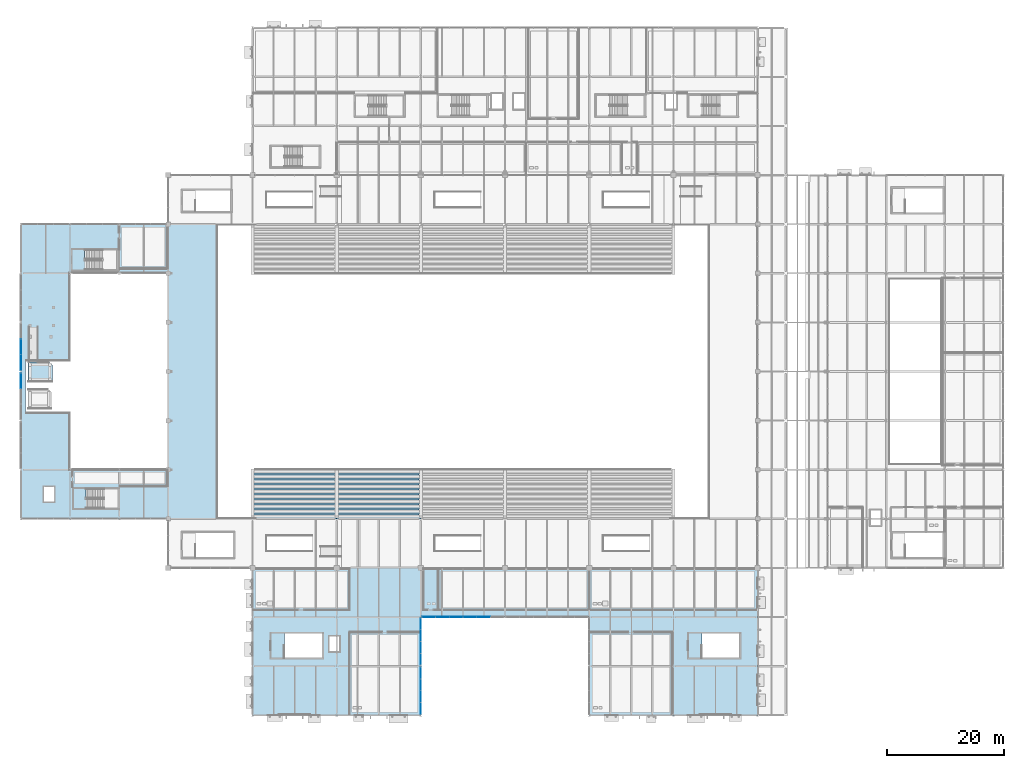
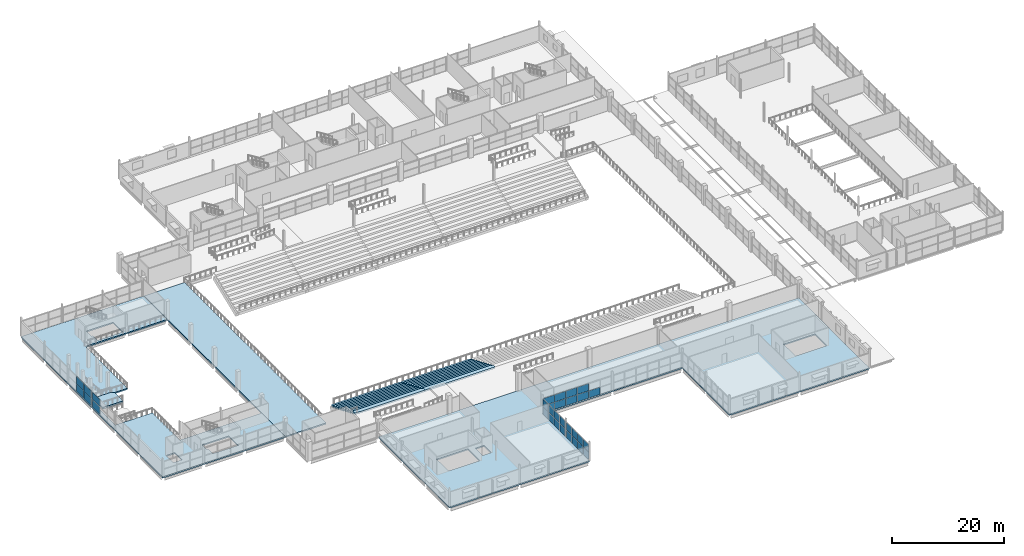
# One storey, part 123 of 161: 31 plates, 24 slabs, 5 elements without a shape of their own.
"""IFC4 building model written with IfcOpenShell, lengths in metres."""

import ifcopenshell
import ifcopenshell.guid

model = None  # the IFC model being written
_history = None  # IfcOwnerHistory: only IFC2X3 demands one
_inside = {}  # id of a spatial element -> (the spatial element, [elements in it])
_under = {}  # id of a project, library or spatial element -> (it, [spatial elements below it])
_declared = {}  # id of a project -> (the project, [libraries it declares])
_typed = {}  # id of a type object -> (the type object, [elements of that type])
_made_of = {}  # id of a material, layer set ... -> (it, [elements and type objects made of it])


def new_model(schema):
    """Start an empty IFC model of exactly this schema.

    Asked for "IFC4X3", IfcOpenShell would pick the latest addendum, in which some entities
    have other attributes; the version numbers below select the first issue.
    IFC2X3 requires an IfcOwnerHistory on every rooted entity: one is made here for all.
    """
    global model, _history
    if schema == "IFC4X3":
        model = ifcopenshell.file(schema_version=(4, 3, 0, 0))
    else:
        model = ifcopenshell.file(schema=schema)
    _inside.clear()
    _under.clear()
    _declared.clear()
    _typed.clear()
    _made_of.clear()
    _history = None
    if model.schema == "IFC2X3":
        org = make("IfcOrganization", Name="unknown")
        user = make(
            "IfcPersonAndOrganization",
            ThePerson=make("IfcPerson", FamilyName="unknown"),
            TheOrganization=org,
        )
        app = make(
            "IfcApplication",
            ApplicationDeveloper=org,
            Version="unknown",
            ApplicationFullName="unknown",
            ApplicationIdentifier="unknown",
        )
        _history = make(
            "IfcOwnerHistory",
            OwningUser=user,
            OwningApplication=app,
            ChangeAction="ADDED",
            CreationDate=0,
        )
    return model


def make(cls, **values):
    """One entity of the class cls with the attributes given. An attribute that is None is left unset."""
    return model.create_entity(
        cls, **{name: value for name, value in values.items() if value is not None}
    )


def rooted(cls, **values):
    """An entity with a GlobalId (a new one), such as an element, a storey or a relation."""
    return make(cls, GlobalId=ifcopenshell.guid.new(), OwnerHistory=_history, **values)


def si_unit(unit_type, name, prefix=None):
    """IfcSIUnit, for example si_unit("LENGTHUNIT", "METRE", prefix="MILLI")."""
    return make("IfcSIUnit", UnitType=unit_type, Prefix=prefix, Name=name)


def assignment(units):
    """IfcUnitAssignment: the units of a project."""
    return None if units is None else make("IfcUnitAssignment", Units=units)


def point(xyz):
    """IfcCartesianPoint."""
    return None if xyz is None else make("IfcCartesianPoint", Coordinates=xyz)


def direction(xyz):
    """IfcDirection."""
    return None if xyz is None else make("IfcDirection", DirectionRatios=xyz)


def frame(location, z_axis=None, x_axis=None):
    """IfcAxis2Placement3D, a coordinate frame: its origin and axes. An axis left out is left unset."""
    return make(
        "IfcAxis2Placement3D",
        Location=point(location),
        Axis=direction(z_axis),
        RefDirection=direction(x_axis),
    )


def frame_2d(location, x_axis=None):
    """IfcAxis2Placement2D, a coordinate frame in the plane: its origin and x axis."""
    return make(
        "IfcAxis2Placement2D", Location=point(location), RefDirection=direction(x_axis)
    )


def origin():
    """The frame at (0, 0, 0) with its axes left unset."""
    return frame((0.0, 0.0, 0.0))


def origin_2d():
    """The frame at (0, 0) in the plane with its x axis left unset."""
    return frame_2d((0.0, 0.0))


def place(relative_to, where):
    """IfcLocalPlacement: puts the frame where relative to a parent placement (None: the world)."""
    return make(
        "IfcLocalPlacement", PlacementRelTo=relative_to, RelativePlacement=where
    )


def context(
    kind, dimensions, precision=None, world=None, true_north=None, identifier=None
):
    """IfcGeometricRepresentationContext, for example the 3D "Model" context."""
    return make(
        "IfcGeometricRepresentationContext",
        ContextIdentifier=identifier,
        ContextType=kind,
        CoordinateSpaceDimension=dimensions,
        Precision=precision,
        WorldCoordinateSystem=world,
        TrueNorth=true_north,
    )


def subcontext(parent, identifier, kind, view, scale=None):
    """IfcGeometricRepresentationSubContext, for example "Body" below "Model"."""
    return make(
        "IfcGeometricRepresentationSubContext",
        ContextIdentifier=identifier,
        ContextType=kind,
        ParentContext=parent,
        TargetScale=scale,
        TargetView=view,
    )


def project(units=None, contexts=None):
    """IfcProject with its units and contexts."""
    return rooted(
        "IfcProject",
        Name="project",
        RepresentationContexts=contexts,
        UnitsInContext=assignment(units),
    )


def spatial(cls, under=None, at=None, **own):
    """A site, building, storey or space (cls), placed at a placement, below another one or the project."""
    s = rooted(cls, ObjectPlacement=at, **own)
    if under is not None:
        _under.setdefault(under.id(), (under, []))[1].append(s)
    return s


def polyline(points):
    """IfcPolyline through the points."""
    return make("IfcPolyline", Points=[point(p) for p in points])


def profile(cls, at=None, kind="AREA", **sizes):
    """A parametric profile (cls). Its sizes go by their IFC names, for example OverallWidth=200.0."""
    return make(cls, ProfileType=kind, Position=at, **sizes)


def rectangle(**sizes):
    """IfcRectangleProfileDef."""
    return profile("IfcRectangleProfileDef", **sizes)


def outline(outer, holes=None, kind="AREA"):
    """IfcArbitraryClosedProfileDef: a profile drawn as a closed curve; with holes, ...WithVoids."""
    if holes is None:
        return make("IfcArbitraryClosedProfileDef", ProfileType=kind, OuterCurve=outer)
    return make(
        "IfcArbitraryProfileDefWithVoids",
        ProfileType=kind,
        OuterCurve=outer,
        InnerCurves=holes,
    )


def extrude(swept, where, along, depth):
    """IfcExtrudedAreaSolid: the profile swept, set in the frame where, extruded along a direction by depth."""
    return make(
        "IfcExtrudedAreaSolid",
        SweptArea=swept,
        Position=where,
        ExtrudedDirection=direction(along),
        Depth=depth,
    )


def shape(context_of_items, identifier, shape_type, items):
    """IfcShapeRepresentation: the items that make up one representation, for example the "Body"."""
    return make(
        "IfcShapeRepresentation",
        ContextOfItems=context_of_items,
        RepresentationIdentifier=identifier,
        RepresentationType=shape_type,
        Items=items,
    )


def material(Name=None, Category=None):
    """IfcMaterial."""
    return make("IfcMaterial", Name=Name, Category=Category)


def layer(
    of_material, thickness, ventilated=None, Name=None, Category=None, Priority=None
):
    """IfcMaterialLayer: one layer of a wall or slab, of a material (None: an air gap)."""
    return make(
        "IfcMaterialLayer",
        Material=of_material,
        LayerThickness=thickness,
        IsVentilated=ventilated,
        Name=Name,
        Category=Category,
        Priority=Priority,
    )


def layer_set(layers, Name=None):
    """IfcMaterialLayerSet."""
    return make("IfcMaterialLayerSet", MaterialLayers=layers, LayerSetName=Name)


def made_of(thing, what):
    """Note that an element or type object is made of a material, layer set ...; save() writes the relation."""
    if what is not None:
        _made_of.setdefault(what.id(), (what, []))[1].append(thing)
    return thing


def type_object(cls, material=None, **own):
    """A type object (cls), such as IfcWallType, which elements share."""
    return made_of(rooted(cls, **own), material)


def element(
    cls,
    number,
    at=None,
    inside=None,
    cuts=None,
    type_object=None,
    material=None,
    context=None,
    identifier="Body",
    shape_type=None,
    held_by="IfcProductDefinitionShape",
    body=None,
    shapes=None,
    **own,
):
    """One element of the class cls, such as IfcWall. Its Tag is "e" and its number.

    at: its placement. inside: the storey or other place that contains it. cuts: it is an
    opening in that element (IfcRelVoidsElement). A single representation is given by context,
    identifier, shape_type and body (its items); several are given by shapes. held_by: the class
    of the entity that holds the representations. save() writes the other relations.
    """
    e = rooted(cls, Tag="e%d" % number, ObjectPlacement=at, **own)
    if body is not None:
        shapes = [shape(context, identifier, shape_type, body)]
    if shapes is not None:
        e.Representation = make(held_by, Representations=shapes)
    if inside is not None:
        _inside.setdefault(inside.id(), (inside, []))[1].append(e)
    if cuts is not None:
        rooted(
            "IfcRelVoidsElement", RelatingBuildingElement=cuts, RelatedOpeningElement=e
        )
    if type_object is not None:
        _typed.setdefault(type_object.id(), (type_object, []))[1].append(e)
    return made_of(e, material)


def aggregate(whole, parts):
    """IfcRelAggregates: a whole, such as a stair, and the parts it consists of."""
    return rooted("IfcRelAggregates", RelatingObject=whole, RelatedObjects=parts)


def save(model, path):
    """Write the relations noted so far, then the file.

    IfcRelAggregates (storeys below a building ...), IfcRelContainedInSpatialStructure (elements
    in a storey), IfcRelDefinesByType, IfcRelAssociatesMaterial and IfcRelDeclares: one each for
    every whole, place, type object, material and project.
    """
    for whole, parts in _under.values():
        aggregate(whole, parts)
    for where, things in _inside.values():
        rooted(
            "IfcRelContainedInSpatialStructure",
            RelatedElements=things,
            RelatingStructure=where,
        )
    for kind, things in _typed.values():
        rooted("IfcRelDefinesByType", RelatedObjects=things, RelatingType=kind)
    for what, things in _made_of.values():
        rooted("IfcRelAssociatesMaterial", RelatedObjects=things, RelatingMaterial=what)
    for by, libraries in _declared.values():
        rooted("IfcRelDeclares", RelatingContext=by, RelatedDefinitions=libraries)
    model.write(path)


model = new_model("IFC4")

# Units and contexts
model_context = context("Model", 3, precision=1e-05, world=origin(), true_north=direction((0.0, 1.0)))
body_context = subcontext(model_context, "Body", "Model", "MODEL_VIEW")
ifc_project = project(units=[si_unit("LENGTHUNIT", "METRE"), si_unit("AREAUNIT", "SQUARE_METRE"), si_unit("VOLUMEUNIT", "CUBIC_METRE"), si_unit("PLANEANGLEUNIT", "RADIAN"), si_unit("MASSUNIT", "GRAM", prefix="KILO"), si_unit("THERMODYNAMICTEMPERATUREUNIT", "KELVIN")], contexts=[model_context])

# Site, building, storey
site_placement = place(None, origin())
site = spatial("IfcSite", under=ifc_project, at=site_placement, CompositionType="ELEMENT")
building_placement = place(site_placement, origin())
building = spatial("IfcBuilding", under=site, at=building_placement, Name="Nduvali Passage Aquatics Centre", CompositionType="ELEMENT")
storey_placement = place(building_placement, frame((0.0, 0.0, 4.800048828125)))
storey = spatial("IfcBuildingStorey", under=building, at=storey_placement, Name="L01", CompositionType="ELEMENT", Elevation=4.800048828125)

# Curtain wall, plates
ifc_material_1 = material(Name="Aluminium EN AW-6063 T6", Category="aluminium")
curtain_wall_type_1 = type_object("IfcCurtainWallType", Name="ENV-CW-COUR", PredefinedType="NOTDEFINED", material=ifc_material_1)
curtain_wall_1_placement = place(storey_placement, origin())
curtain_wall_1 = element("IfcCurtainWall", 1, at=curtain_wall_1_placement, inside=storey, type_object=curtain_wall_type_1, Name="L01 Monsoon Courtyard Upper Cloister CW 164", PredefinedType="NOTDEFINED")
ifc_material_2 = material(Name="Laminated solar-control low-E IGU")
ifc_layer_1 = layer(ifc_material_2, 0.028076171875, Name="Laminated solar-control low-E IGU")
ifc_layer_set_1 = layer_set([ifc_layer_1], Name="Laminated solar-control low-E IGU")
plate_type_1 = type_object("IfcPlateType", Name="ENV-PLT-GLZ28", PredefinedType="CURTAIN_PANEL", material=ifc_layer_set_1)
plate_1_placement = place(storey_placement, frame((69.739990234375, 16.800048828125, 0.06005859375), z_axis=(0.0, 0.0, 1.0), x_axis=(1.0, 0.0, 0.0)))
plate_1 = element("IfcPlate", 2, at=plate_1_placement, type_object=plate_type_1, Name="Monsoon Courtyard Upper Cloister CW Glazed Panel B1-R1", PredefinedType="CURTAIN_PANEL", context=body_context, shape_type="SweptSolid", body=[
    extrude(rectangle(XDim=2.260009765625, YDim=0.028076171875, at=origin_2d()), origin(), (0.0, 0.0, 1.0), 1.556396484375),
])
plate_2_placement = place(storey_placement, frame((69.739990234375, 16.800048828125, 1.67626953125), z_axis=(0.0, 0.0, 1.0), x_axis=(1.0, 0.0, 0.0)))
plate_2 = element("IfcPlate", 3, at=plate_2_placement, type_object=plate_type_1, Name="Monsoon Courtyard Upper Cloister CW Glazed Panel B1-R2", PredefinedType="CURTAIN_PANEL", context=body_context, shape_type="SweptSolid", body=[
    extrude(rectangle(XDim=2.260009765625, YDim=0.028076171875, at=origin_2d()), origin(), (0.0, 0.0, 1.0), 1.556396484375),
])
plate_3_placement = place(storey_placement, frame((72.074951171875, 16.800048828125, 0.06005859375), z_axis=(0.0, 0.0, 1.0), x_axis=(1.0, 0.0, 0.0)))
plate_3 = element("IfcPlate", 4, at=plate_3_placement, type_object=plate_type_1, Name="Monsoon Courtyard Upper Cloister CW Glazed Panel B2-R1", PredefinedType="CURTAIN_PANEL", context=body_context, shape_type="SweptSolid", body=[
    extrude(rectangle(XDim=2.2900390625, YDim=0.028076171875, at=origin_2d()), origin(), (0.0, 0.0, 1.0), 1.556396484375),
])
plate_4_placement = place(storey_placement, frame((72.074951171875, 16.800048828125, 1.67626953125), z_axis=(0.0, 0.0, 1.0), x_axis=(1.0, 0.0, 0.0)))
plate_4 = element("IfcPlate", 5, at=plate_4_placement, type_object=plate_type_1, Name="Monsoon Courtyard Upper Cloister CW Glazed Panel B2-R2", PredefinedType="CURTAIN_PANEL", context=body_context, shape_type="SweptSolid", body=[
    extrude(rectangle(XDim=2.2900390625, YDim=0.028076171875, at=origin_2d()), origin(), (0.0, 0.0, 1.0), 1.556396484375),
])
plate_5_placement = place(storey_placement, frame((74.425048828125, 16.800048828125, 0.06005859375), z_axis=(0.0, 0.0, 1.0), x_axis=(1.0, 0.0, 0.0)))
plate_5 = element("IfcPlate", 6, at=plate_5_placement, type_object=plate_type_1, Name="Monsoon Courtyard Upper Cloister CW Glazed Panel B3-R1", PredefinedType="CURTAIN_PANEL", context=body_context, shape_type="SweptSolid", body=[
    extrude(rectangle(XDim=2.2900390625, YDim=0.028076171875, at=origin_2d()), origin(), (0.0, 0.0, 1.0), 1.556396484375),
])
plate_6_placement = place(storey_placement, frame((74.425048828125, 16.800048828125, 1.67626953125), z_axis=(0.0, 0.0, 1.0), x_axis=(1.0, 0.0, 0.0)))
plate_6 = element("IfcPlate", 7, at=plate_6_placement, type_object=plate_type_1, Name="Monsoon Courtyard Upper Cloister CW Glazed Panel B3-R2", PredefinedType="CURTAIN_PANEL", context=body_context, shape_type="SweptSolid", body=[
    extrude(rectangle(XDim=2.2900390625, YDim=0.028076171875, at=origin_2d()), origin(), (0.0, 0.0, 1.0), 1.556396484375),
])
plate_7_placement = place(storey_placement, frame((76.77490234375, 16.800048828125, 0.06005859375), z_axis=(0.0, 0.0, 1.0), x_axis=(1.0, 0.0, 0.0)))
plate_7 = element("IfcPlate", 8, at=plate_7_placement, type_object=plate_type_1, Name="Monsoon Courtyard Upper Cloister CW Glazed Panel B4-R1", PredefinedType="CURTAIN_PANEL", context=body_context, shape_type="SweptSolid", body=[
    extrude(rectangle(XDim=2.2900390625, YDim=0.028076171875, at=origin_2d()), origin(), (0.0, 0.0, 1.0), 1.556396484375),
])
plate_8_placement = place(storey_placement, frame((76.77490234375, 16.800048828125, 1.67626953125), z_axis=(0.0, 0.0, 1.0), x_axis=(1.0, 0.0, 0.0)))
plate_8 = element("IfcPlate", 9, at=plate_8_placement, type_object=plate_type_1, Name="Monsoon Courtyard Upper Cloister CW Glazed Panel B4-R2", PredefinedType="CURTAIN_PANEL", context=body_context, shape_type="SweptSolid", body=[
    extrude(rectangle(XDim=2.2900390625, YDim=0.028076171875, at=origin_2d()), origin(), (0.0, 0.0, 1.0), 1.556396484375),
])
plate_9_placement = place(storey_placement, frame((79.125, 16.800048828125, 0.06005859375), z_axis=(0.0, 0.0, 1.0), x_axis=(1.0, 0.0, 0.0)))
plate_9 = element("IfcPlate", 10, at=plate_9_placement, type_object=plate_type_1, Name="Monsoon Courtyard Upper Cloister CW Glazed Panel B5-R1", PredefinedType="CURTAIN_PANEL", context=body_context, shape_type="SweptSolid", body=[
    extrude(rectangle(XDim=2.2900390625, YDim=0.028076171875, at=origin_2d()), origin(), (0.0, 0.0, 1.0), 1.556396484375),
])
aggregate(curtain_wall_1, [plate_1, plate_2, plate_3, plate_4, plate_5, plate_6, plate_7, plate_8, plate_9])

curtain_wall_2_placement = place(storey_placement, origin())
curtain_wall_2 = element("IfcCurtainWall", 11, at=curtain_wall_2_placement, inside=storey, type_object=curtain_wall_type_1, Name="L01 Courtyard West Upper Cloister CW 169", PredefinedType="NOTDEFINED")
plate_10_placement = place(storey_placement, frame((68.39990234375, 1.1787109375, 0.06005859375), z_axis=(0.0, 0.0, 1.0), x_axis=(0.0, 1.0, 0.0)))
plate_10 = element("IfcPlate", 12, at=plate_10_placement, type_object=plate_type_1, Name="Courtyard West Upper Cloister CW Glazed Panel B1-R1", PredefinedType="CURTAIN_PANEL", context=body_context, shape_type="SweptSolid", body=[
    extrude(rectangle(XDim=1.9375, YDim=0.028076171875, at=origin_2d()), origin(), (0.0, 0.0, 1.0), 1.628173828125),
])
plate_11_placement = place(storey_placement, frame((68.39990234375, 1.1787109375, 1.748046875), z_axis=(0.0, 0.0, 1.0), x_axis=(0.0, 1.0, 0.0)))
plate_11 = element("IfcPlate", 13, at=plate_11_placement, type_object=plate_type_1, Name="Courtyard West Upper Cloister CW Glazed Panel B1-R2", PredefinedType="CURTAIN_PANEL", context=body_context, shape_type="SweptSolid", body=[
    extrude(rectangle(XDim=1.9375, YDim=0.028076171875, at=origin_2d()), origin(), (0.0, 0.0, 1.0), 1.628173828125),
])
plate_12_placement = place(storey_placement, frame((68.39990234375, 3.191162109375, 0.06005859375), z_axis=(0.0, 0.0, 1.0), x_axis=(0.0, 1.0, 0.0)))
plate_12 = element("IfcPlate", 14, at=plate_12_placement, type_object=plate_type_1, Name="Courtyard West Upper Cloister CW Glazed Panel B2-R1", PredefinedType="CURTAIN_PANEL", context=body_context, shape_type="SweptSolid", body=[
    extrude(rectangle(XDim=1.967529296875, YDim=0.028076171875, at=origin_2d()), origin(), (0.0, 0.0, 1.0), 1.628173828125),
])
plate_13_placement = place(storey_placement, frame((68.39990234375, 3.191162109375, 1.748046875), z_axis=(0.0, 0.0, 1.0), x_axis=(0.0, 1.0, 0.0)))
plate_13 = element("IfcPlate", 15, at=plate_13_placement, type_object=plate_type_1, Name="Courtyard West Upper Cloister CW Glazed Panel B2-R2", PredefinedType="CURTAIN_PANEL", context=body_context, shape_type="SweptSolid", body=[
    extrude(rectangle(XDim=1.967529296875, YDim=0.028076171875, at=origin_2d()), origin(), (0.0, 0.0, 1.0), 1.628173828125),
])
plate_14_placement = place(storey_placement, frame((68.39990234375, 5.21875, 0.06005859375), z_axis=(0.0, 0.0, 1.0), x_axis=(0.0, 1.0, 0.0)))
plate_14 = element("IfcPlate", 16, at=plate_14_placement, type_object=plate_type_1, Name="Courtyard West Upper Cloister CW Glazed Panel B3-R1", PredefinedType="CURTAIN_PANEL", context=body_context, shape_type="SweptSolid", body=[
    extrude(rectangle(XDim=1.967529296875, YDim=0.028076171875, at=origin_2d()), origin(), (0.0, 0.0, 1.0), 1.628173828125),
])
plate_15_placement = place(storey_placement, frame((68.39990234375, 5.21875, 1.748046875), z_axis=(0.0, 0.0, 1.0), x_axis=(0.0, 1.0, 0.0)))
plate_15 = element("IfcPlate", 17, at=plate_15_placement, type_object=plate_type_1, Name="Courtyard West Upper Cloister CW Glazed Panel B3-R2", PredefinedType="CURTAIN_PANEL", context=body_context, shape_type="SweptSolid", body=[
    extrude(rectangle(XDim=1.967529296875, YDim=0.028076171875, at=origin_2d()), origin(), (0.0, 0.0, 1.0), 1.628173828125),
])
plate_16_placement = place(storey_placement, frame((68.39990234375, 7.231201171875, 0.06005859375), z_axis=(0.0, 0.0, 1.0), x_axis=(0.0, 1.0, 0.0)))
plate_16 = element("IfcPlate", 18, at=plate_16_placement, type_object=plate_type_1, Name="Courtyard West Upper Cloister CW Glazed Panel B4-R1", PredefinedType="CURTAIN_PANEL", context=body_context, shape_type="SweptSolid", body=[
    extrude(rectangle(XDim=1.9375, YDim=0.028076171875, at=origin_2d()), origin(), (0.0, 0.0, 1.0), 1.628173828125),
])
plate_17_placement = place(storey_placement, frame((68.39990234375, 7.231201171875, 1.748046875), z_axis=(0.0, 0.0, 1.0), x_axis=(0.0, 1.0, 0.0)))
plate_17 = element("IfcPlate", 19, at=plate_17_placement, type_object=plate_type_1, Name="Courtyard West Upper Cloister CW Glazed Panel B4-R2", PredefinedType="CURTAIN_PANEL", context=body_context, shape_type="SweptSolid", body=[
    extrude(rectangle(XDim=1.9375, YDim=0.028076171875, at=origin_2d()), origin(), (0.0, 0.0, 1.0), 1.628173828125),
])
aggregate(curtain_wall_2, [plate_10, plate_11, plate_12, plate_13, plate_14, plate_15, plate_16, plate_17])

curtain_wall_3_placement = place(storey_placement, origin())
curtain_wall_3 = element("IfcCurtainWall", 20, at=curtain_wall_3_placement, inside=storey, type_object=curtain_wall_type_1, Name="L01 Courtyard West Upper Cloister CW 173", PredefinedType="NOTDEFINED")
plate_18_placement = place(storey_placement, frame((68.39990234375, 9.568603515625, 0.06005859375), z_axis=(0.0, 0.0, 1.0), x_axis=(0.0, 1.0, 0.0)))
plate_18 = element("IfcPlate", 21, at=plate_18_placement, type_object=plate_type_1, Name="Courtyard West Upper Cloister CW Glazed Panel B1-R1", PredefinedType="CURTAIN_PANEL", context=body_context, shape_type="SweptSolid", body=[
    extrude(rectangle(XDim=1.9375, YDim=0.028076171875, at=origin_2d()), origin(), (0.0, 0.0, 1.0), 1.628173828125),
])
plate_19_placement = place(storey_placement, frame((68.39990234375, 9.568603515625, 1.748046875), z_axis=(0.0, 0.0, 1.0), x_axis=(0.0, 1.0, 0.0)))
plate_19 = element("IfcPlate", 22, at=plate_19_placement, type_object=plate_type_1, Name="Courtyard West Upper Cloister CW Glazed Panel B1-R2", PredefinedType="CURTAIN_PANEL", context=body_context, shape_type="SweptSolid", body=[
    extrude(rectangle(XDim=1.9375, YDim=0.028076171875, at=origin_2d()), origin(), (0.0, 0.0, 1.0), 1.628173828125),
])
plate_20_placement = place(storey_placement, frame((68.39990234375, 11.581298828125, 0.06005859375), z_axis=(0.0, 0.0, 1.0), x_axis=(0.0, 1.0, 0.0)))
plate_20 = element("IfcPlate", 23, at=plate_20_placement, type_object=plate_type_1, Name="Courtyard West Upper Cloister CW Glazed Panel B2-R1", PredefinedType="CURTAIN_PANEL", context=body_context, shape_type="SweptSolid", body=[
    extrude(rectangle(XDim=1.967529296875, YDim=0.028076171875, at=origin_2d()), origin(), (0.0, 0.0, 1.0), 1.628173828125),
])
plate_21_placement = place(storey_placement, frame((68.39990234375, 11.581298828125, 1.748046875), z_axis=(0.0, 0.0, 1.0), x_axis=(0.0, 1.0, 0.0)))
plate_21 = element("IfcPlate", 24, at=plate_21_placement, type_object=plate_type_1, Name="Courtyard West Upper Cloister CW Glazed Panel B2-R2", PredefinedType="CURTAIN_PANEL", context=body_context, shape_type="SweptSolid", body=[
    extrude(rectangle(XDim=1.967529296875, YDim=0.028076171875, at=origin_2d()), origin(), (0.0, 0.0, 1.0), 1.628173828125),
])
plate_22_placement = place(storey_placement, frame((68.39990234375, 13.608642578125, 0.06005859375), z_axis=(0.0, 0.0, 1.0), x_axis=(0.0, 1.0, 0.0)))
plate_22 = element("IfcPlate", 25, at=plate_22_placement, type_object=plate_type_1, Name="Courtyard West Upper Cloister CW Glazed Panel B3-R1", PredefinedType="CURTAIN_PANEL", context=body_context, shape_type="SweptSolid", body=[
    extrude(rectangle(XDim=1.967529296875, YDim=0.028076171875, at=origin_2d()), origin(), (0.0, 0.0, 1.0), 1.628173828125),
])
plate_23_placement = place(storey_placement, frame((68.39990234375, 13.608642578125, 1.748046875), z_axis=(0.0, 0.0, 1.0), x_axis=(0.0, 1.0, 0.0)))
plate_23 = element("IfcPlate", 26, at=plate_23_placement, type_object=plate_type_1, Name="Courtyard West Upper Cloister CW Glazed Panel B3-R2", PredefinedType="CURTAIN_PANEL", context=body_context, shape_type="SweptSolid", body=[
    extrude(rectangle(XDim=1.967529296875, YDim=0.028076171875, at=origin_2d()), origin(), (0.0, 0.0, 1.0), 1.628173828125),
])
plate_24_placement = place(storey_placement, frame((68.39990234375, 15.62109375, 0.06005859375), z_axis=(0.0, 0.0, 1.0), x_axis=(0.0, 1.0, 0.0)))
plate_24 = element("IfcPlate", 27, at=plate_24_placement, type_object=plate_type_1, Name="Courtyard West Upper Cloister CW Glazed Panel B4-R1", PredefinedType="CURTAIN_PANEL", context=body_context, shape_type="SweptSolid", body=[
    extrude(rectangle(XDim=1.9375, YDim=0.028076171875, at=origin_2d()), origin(), (0.0, 0.0, 1.0), 1.628173828125),
])
plate_25_placement = place(storey_placement, frame((68.39990234375, 15.62109375, 1.748046875), z_axis=(0.0, 0.0, 1.0), x_axis=(0.0, 1.0, 0.0)))
plate_25 = element("IfcPlate", 28, at=plate_25_placement, type_object=plate_type_1, Name="Courtyard West Upper Cloister CW Glazed Panel B4-R2", PredefinedType="CURTAIN_PANEL", context=body_context, shape_type="SweptSolid", body=[
    extrude(rectangle(XDim=1.9375, YDim=0.028076171875, at=origin_2d()), origin(), (0.0, 0.0, 1.0), 1.628173828125),
])
aggregate(curtain_wall_3, [plate_18, plate_19, plate_20, plate_21, plate_22, plate_23, plate_24, plate_25])

curtain_wall_type_2 = type_object("IfcCurtainWallType", Name="ENV-CW-DIVE", PredefinedType="NOTDEFINED", material=ifc_material_1)
curtain_wall_4_placement = place(storey_placement, origin())
curtain_wall_4 = element("IfcCurtainWall", 29, at=curtain_wall_4_placement, inside=storey, type_object=curtain_wall_type_2, Name="L01 West Diving Tower Viewing CW 133", PredefinedType="NOTDEFINED")
ifc_layer_2 = layer(ifc_material_2, 0.031982421875, Name="Laminated solar-control low-E IGU")
ifc_layer_set_2 = layer_set([ifc_layer_2], Name="Laminated solar-control low-E IGU")
plate_type_2 = type_object("IfcPlateType", Name="ENV-PLT-GLZ32", PredefinedType="CURTAIN_PANEL", material=ifc_layer_set_2)
plate_26_placement = place(storey_placement, frame((0.0, 57.251708984375, 0.06005859375), z_axis=(0.0, 0.0, 1.0), x_axis=(0.0, 1.0, 0.0)))
plate_26 = element("IfcPlate", 30, at=plate_26_placement, type_object=plate_type_2, Name="West Diving Tower Viewing CW Glazed Panel B3-R1", PredefinedType="CURTAIN_PANEL", context=body_context, shape_type="SweptSolid", body=[
    extrude(rectangle(XDim=2.57666015625, YDim=0.031982421875, at=origin_2d()), origin(), (0.0, 0.0, 1.0), 1.6083984375),
])
plate_27_placement = place(storey_placement, frame((0.0, 57.251708984375, 1.728271484375), z_axis=(0.0, 0.0, 1.0), x_axis=(0.0, 1.0, 0.0)))
plate_27 = element("IfcPlate", 31, at=plate_27_placement, type_object=plate_type_2, Name="West Diving Tower Viewing CW Glazed Panel B3-R2", PredefinedType="CURTAIN_PANEL", context=body_context, shape_type="SweptSolid", body=[
    extrude(rectangle(XDim=2.57666015625, YDim=0.031982421875, at=origin_2d()), origin(), (0.0, 0.0, 1.0), 1.6083984375),
])
aggregate(curtain_wall_4, [plate_26, plate_27])

curtain_wall_5_placement = place(storey_placement, origin())
curtain_wall_5 = element("IfcCurtainWall", 32, at=curtain_wall_5_placement, inside=storey, type_object=curtain_wall_type_2, Name="L01 West Diving Tower Viewing CW 138", PredefinedType="NOTDEFINED")
plate_28_placement = place(storey_placement, frame((0.0, 60.348388671875, 0.06005859375), z_axis=(0.0, 0.0, 1.0), x_axis=(0.0, 1.0, 0.0)))
plate_28 = element("IfcPlate", 33, at=plate_28_placement, type_object=plate_type_2, Name="West Diving Tower Viewing CW Glazed Panel B1-R1", PredefinedType="CURTAIN_PANEL", context=body_context, shape_type="SweptSolid", body=[
    extrude(rectangle(XDim=2.57666015625, YDim=0.031982421875, at=origin_2d()), origin(), (0.0, 0.0, 1.0), 1.6083984375),
])
plate_29_placement = place(storey_placement, frame((0.0, 60.348388671875, 1.728271484375), z_axis=(0.0, 0.0, 1.0), x_axis=(0.0, 1.0, 0.0)))
plate_29 = element("IfcPlate", 34, at=plate_29_placement, type_object=plate_type_2, Name="West Diving Tower Viewing CW Glazed Panel B1-R2", PredefinedType="CURTAIN_PANEL", context=body_context, shape_type="SweptSolid", body=[
    extrude(rectangle(XDim=2.57666015625, YDim=0.031982421875, at=origin_2d()), origin(), (0.0, 0.0, 1.0), 1.6083984375),
])
plate_30_placement = place(storey_placement, frame((0.0, 63.0, 0.06005859375), z_axis=(0.0, 0.0, 1.0), x_axis=(0.0, 1.0, 0.0)))
plate_30 = element("IfcPlate", 35, at=plate_30_placement, type_object=plate_type_2, Name="West Diving Tower Viewing CW Glazed Panel B2-R1", PredefinedType="CURTAIN_PANEL", context=body_context, shape_type="SweptSolid", body=[
    extrude(rectangle(XDim=2.606689453125, YDim=0.031982421875, at=origin_2d()), origin(), (0.0, 0.0, 1.0), 1.6083984375),
])
plate_31_placement = place(storey_placement, frame((0.0, 63.0, 1.728271484375), z_axis=(0.0, 0.0, 1.0), x_axis=(0.0, 1.0, 0.0)))
plate_31 = element("IfcPlate", 36, at=plate_31_placement, type_object=plate_type_2, Name="West Diving Tower Viewing CW Glazed Panel B2-R2", PredefinedType="CURTAIN_PANEL", context=body_context, shape_type="SweptSolid", body=[
    extrude(rectangle(XDim=2.606689453125, YDim=0.031982421875, at=origin_2d()), origin(), (0.0, 0.0, 1.0), 1.6083984375),
])
aggregate(curtain_wall_5, [plate_28, plate_29, plate_30, plate_31])

# Slabs
ifc_material_3 = material(Name="Concrete C40/50", Category="concrete")
ifc_layer_3 = layer(ifc_material_3, 0.3798828125, Name="Concrete C40/50")
ifc_layer_set_3 = layer_set([ifc_layer_3], Name="Concrete C40/50")
slab_type_1 = type_object("IfcSlabType", Name="STR-SLB-DIVE380", PredefinedType="FLOOR", material=ifc_layer_set_3)
slab_1_placement = place(storey_placement, frame((0.0, 0.0, 0.119873046875)))
element("IfcSlab", 37, at=slab_1_placement, inside=storey, type_object=slab_type_1, Name="Diving Tower 5M Platform Slab", PredefinedType="FLOOR", context=body_context, shape_type="SweptSolid", body=[
    extrude(outline(polyline([(1.199951171875, 57.0), (5.39990234375, 57.0), (5.39990234375, 59.89990234375), (4.800048828125, 60.39990234375), (1.199951171875, 60.39990234375), (1.199951171875, 57.0)])), origin(), (0.0, 0.0, 1.0), 0.380126953125),
])
ifc_layer_4 = layer(ifc_material_3, 0.280029296875, Name="Concrete C40/50")
ifc_layer_set_4 = layer_set([ifc_layer_4], Name="Concrete C40/50")
slab_type_2 = type_object("IfcSlabType", Name="STR-SLB-FLR280", PredefinedType="FLOOR", material=ifc_layer_set_4)
slab_2_placement = place(storey_placement, frame((0.0, 0.0, -0.280029296875)))
element("IfcSlab", 38, at=slab_2_placement, inside=storey, type_object=slab_type_2, Name="L01 West Pool Overlook Gallery Slab", PredefinedType="FLOOR", context=body_context, shape_type="SweptSolid", body=[
    extrude(outline(polyline([(25.25, 33.60009765625), (33.60009765625, 33.60009765625), (33.60009765625, 84.0), (25.25, 84.0), (25.25, 33.60009765625)])), origin(), (0.0, 0.0, 1.0), 0.280029296875),
])
slab_3_placement = place(storey_placement, frame((0.0, 0.0, -0.280029296875)))
element("IfcSlab", 39, at=slab_3_placement, inside=storey, type_object=slab_type_2, Name="L01 Diving Dryland Conditioning Gallery Slab", PredefinedType="FLOOR", context=body_context, shape_type="SweptSolid", body=[
    extrude(outline(polyline([(0.0, 33.60009765625), (25.199951171875, 33.60009765625), (25.199951171875, 42.0), (8.39990234375, 42.0), (8.39990234375, 51.800048828125), (0.800048828125, 51.800048828125), (0.800048828125, 60.60009765625), (8.39990234375, 60.60009765625), (8.39990234375, 75.60009765625), (25.199951171875, 75.60009765625), (25.199951171875, 84.0), (0.0, 84.0), (0.0, 33.60009765625)]), holes=[polyline([(11.3798828125, 35.39990234375), (16.60009765625, 35.39990234375), (16.60009765625, 38.75), (11.10009765625, 38.75), (11.10009765625, 37.0), (11.3798828125, 37.0), (11.3798828125, 35.39990234375)]), polyline([(11.179931640625, 76.199951171875), (16.39990234375, 76.199951171875), (16.39990234375, 79.6298828125), (10.89990234375, 79.6298828125), (10.89990234375, 77.840087890625), (11.179931640625, 77.840087890625), (11.179931640625, 76.199951171875)]), polyline([(3.919921875, 36.52001953125), (5.679931640625, 36.52001953125), (5.679931640625, 39.080078125), (3.919921875, 39.080078125), (3.919921875, 36.52001953125)])]), origin(), (0.0, 0.0, 1.0), 0.280029296875),
])
slab_4_placement = place(storey_placement, frame((0.0, 0.0, -0.280029296875)))
element("IfcSlab", 40, at=slab_4_placement, inside=storey, type_object=slab_type_2, Name="L01 Dry Changing and Officials Concourse Slab", PredefinedType="FLOOR", context=body_context, shape_type="SweptSolid", body=[
    extrude(outline(polyline([(39.60009765625, 0.0), (68.39990234375, 0.0), (68.39990234375, 16.800048828125), (97.199951171875, 16.800048828125), (97.199951171875, 0.0), (126.0, 0.0), (126.0, 25.199951171875), (39.60009765625, 25.199951171875), (39.60009765625, 0.0)]), holes=[polyline([(45.050048828125, 9.800048828125), (51.5, 9.800048828125), (51.5, 13.989990234375), (45.050048828125, 13.989990234375), (45.050048828125, 9.800048828125)]), polyline([(116.449951171875, 9.800048828125), (122.89990234375, 9.800048828125), (122.89990234375, 13.989990234375), (116.449951171875, 13.989990234375), (116.449951171875, 9.800048828125)]), polyline([(52.719970703125, 10.919921875), (54.47998046875, 10.919921875), (54.47998046875, 13.47998046875), (52.719970703125, 13.47998046875), (52.719970703125, 10.919921875)])]), origin(), (0.0, 0.0, 1.0), 0.280029296875),
])
ifc_material_4 = material(Name="Precast concrete C40/50", Category="concrete")
ifc_layer_5 = layer(ifc_material_4, 0.360107421875, Name="Precast concrete C40/50")
ifc_layer_set_5 = layer_set([ifc_layer_5], Name="Precast concrete C40/50")
slab_type_3 = type_object("IfcSlabType", Name="STR-SLB-TIER360", PredefinedType="USERDEFINED", material=ifc_layer_set_5)
slab_5_placement = place(storey_placement, frame((0.0, 0.0, -3.60009765625)))
element("IfcSlab", 41, at=slab_5_placement, inside=storey, type_object=slab_type_3, Name="Stand South Bay 1 Seating Tier Row 01", ObjectType="SEATING TIER", PredefinedType="USERDEFINED", context=body_context, shape_type="SweptSolid", body=[
    extrude(outline(polyline([(39.60009765625, 41.25), (54.0, 41.25), (54.0, 41.919921875), (53.64990234375, 41.919921875), (53.64990234375, 42.10009765625), (39.60009765625, 42.10009765625), (39.60009765625, 41.25)])), origin(), (0.0, 0.0, 1.0), 0.360107421875),
])
slab_6_placement = place(storey_placement, frame((0.0, 0.0, -3.60009765625)))
element("IfcSlab", 42, at=slab_6_placement, inside=storey, type_object=slab_type_3, Name="Stand South Bay 2 Seating Tier Row 01", ObjectType="SEATING TIER", PredefinedType="USERDEFINED", context=body_context, shape_type="SweptSolid", body=[
    extrude(outline(polyline([(54.0, 41.25), (68.39990234375, 41.25), (68.39990234375, 41.919921875), (68.050048828125, 41.919921875), (68.050048828125, 42.10009765625), (54.0, 42.10009765625), (54.0, 41.25)])), origin(), (0.0, 0.0, 1.0), 0.360107421875),
])
slab_7_placement = place(storey_placement, frame((0.0, 0.0, -3.239990234375)))
element("IfcSlab", 43, at=slab_7_placement, inside=storey, type_object=slab_type_3, Name="Stand South Bay 1 Seating Tier Row 02", ObjectType="SEATING TIER", PredefinedType="USERDEFINED", context=body_context, shape_type="SweptSolid", body=[
    extrude(outline(polyline([(39.60009765625, 40.39990234375), (54.0, 40.39990234375), (54.0, 41.070068359375), (53.64990234375, 41.070068359375), (53.64990234375, 41.25), (39.60009765625, 41.25), (39.60009765625, 40.39990234375)])), origin(), (0.0, 0.0, 1.0), 0.35986328125),
])
slab_8_placement = place(storey_placement, frame((0.0, 0.0, -3.239990234375)))
element("IfcSlab", 44, at=slab_8_placement, inside=storey, type_object=slab_type_3, Name="Stand South Bay 2 Seating Tier Row 02", ObjectType="SEATING TIER", PredefinedType="USERDEFINED", context=body_context, shape_type="SweptSolid", body=[
    extrude(outline(polyline([(54.0, 40.39990234375), (68.39990234375, 40.39990234375), (68.39990234375, 41.070068359375), (68.050048828125, 41.070068359375), (68.050048828125, 41.25), (54.0, 41.25), (54.0, 40.39990234375)])), origin(), (0.0, 0.0, 1.0), 0.35986328125),
])
slab_9_placement = place(storey_placement, frame((0.0, 0.0, -2.880126953125)))
element("IfcSlab", 45, at=slab_9_placement, inside=storey, type_object=slab_type_3, Name="Stand South Bay 1 Seating Tier Row 03", ObjectType="SEATING TIER", PredefinedType="USERDEFINED", context=body_context, shape_type="SweptSolid", body=[
    extrude(outline(polyline([(39.60009765625, 39.550048828125), (54.0, 39.550048828125), (54.0, 40.219970703125), (53.64990234375, 40.219970703125), (53.64990234375, 40.39990234375), (39.60009765625, 40.39990234375), (39.60009765625, 39.550048828125)])), origin(), (0.0, 0.0, 1.0), 0.360107421875),
])
slab_10_placement = place(storey_placement, frame((0.0, 0.0, -2.880126953125)))
element("IfcSlab", 46, at=slab_10_placement, inside=storey, type_object=slab_type_3, Name="Stand South Bay 2 Seating Tier Row 03", ObjectType="SEATING TIER", PredefinedType="USERDEFINED", context=body_context, shape_type="SweptSolid", body=[
    extrude(outline(polyline([(54.0, 39.550048828125), (68.39990234375, 39.550048828125), (68.39990234375, 40.219970703125), (68.050048828125, 40.219970703125), (68.050048828125, 40.39990234375), (54.0, 40.39990234375), (54.0, 39.550048828125)])), origin(), (0.0, 0.0, 1.0), 0.360107421875),
])
slab_11_placement = place(storey_placement, frame((0.0, 0.0, -2.52001953125)))
element("IfcSlab", 47, at=slab_11_placement, inside=storey, type_object=slab_type_3, Name="Stand South Bay 1 Seating Tier Row 04", ObjectType="SEATING TIER", PredefinedType="USERDEFINED", context=body_context, shape_type="SweptSolid", body=[
    extrude(outline(polyline([(39.60009765625, 38.699951171875), (54.0, 38.699951171875), (54.0, 39.3701171875), (53.64990234375, 39.3701171875), (53.64990234375, 39.550048828125), (39.60009765625, 39.550048828125), (39.60009765625, 38.699951171875)])), origin(), (0.0, 0.0, 1.0), 0.35986328125),
])
slab_12_placement = place(storey_placement, frame((0.0, 0.0, -2.52001953125)))
element("IfcSlab", 48, at=slab_12_placement, inside=storey, type_object=slab_type_3, Name="Stand South Bay 2 Seating Tier Row 04", ObjectType="SEATING TIER", PredefinedType="USERDEFINED", context=body_context, shape_type="SweptSolid", body=[
    extrude(outline(polyline([(54.0, 38.699951171875), (68.39990234375, 38.699951171875), (68.39990234375, 39.3701171875), (68.050048828125, 39.3701171875), (68.050048828125, 39.550048828125), (54.0, 39.550048828125), (54.0, 38.699951171875)])), origin(), (0.0, 0.0, 1.0), 0.35986328125),
])
slab_13_placement = place(storey_placement, frame((0.0, 0.0, -2.16015625)))
element("IfcSlab", 49, at=slab_13_placement, inside=storey, type_object=slab_type_3, Name="Stand South Bay 1 Seating Tier Row 05", ObjectType="SEATING TIER", PredefinedType="USERDEFINED", context=body_context, shape_type="SweptSolid", body=[
    extrude(outline(polyline([(39.60009765625, 37.85009765625), (54.0, 37.85009765625), (54.0, 38.52001953125), (53.64990234375, 38.52001953125), (53.64990234375, 38.699951171875), (39.60009765625, 38.699951171875), (39.60009765625, 37.85009765625)])), origin(), (0.0, 0.0, 1.0), 0.360107421875),
])
slab_14_placement = place(storey_placement, frame((0.0, 0.0, -2.16015625)))
element("IfcSlab", 50, at=slab_14_placement, inside=storey, type_object=slab_type_3, Name="Stand South Bay 2 Seating Tier Row 05", ObjectType="SEATING TIER", PredefinedType="USERDEFINED", context=body_context, shape_type="SweptSolid", body=[
    extrude(outline(polyline([(54.0, 37.85009765625), (68.39990234375, 37.85009765625), (68.39990234375, 38.52001953125), (68.050048828125, 38.52001953125), (68.050048828125, 38.699951171875), (54.0, 38.699951171875), (54.0, 37.85009765625)])), origin(), (0.0, 0.0, 1.0), 0.360107421875),
])
slab_15_placement = place(storey_placement, frame((0.0, 0.0, -1.800048828125)))
element("IfcSlab", 51, at=slab_15_placement, inside=storey, type_object=slab_type_3, Name="Stand South Bay 1 Seating Tier Row 06", ObjectType="SEATING TIER", PredefinedType="USERDEFINED", context=body_context, shape_type="SweptSolid", body=[
    extrude(outline(polyline([(39.60009765625, 37.0), (54.0, 37.0), (54.0, 37.669921875), (53.64990234375, 37.669921875), (53.64990234375, 37.85009765625), (39.60009765625, 37.85009765625), (39.60009765625, 37.0)])), origin(), (0.0, 0.0, 1.0), 0.360107421875),
])
slab_16_placement = place(storey_placement, frame((0.0, 0.0, -1.800048828125)))
element("IfcSlab", 52, at=slab_16_placement, inside=storey, type_object=slab_type_3, Name="Stand South Bay 2 Seating Tier Row 06", ObjectType="SEATING TIER", PredefinedType="USERDEFINED", context=body_context, shape_type="SweptSolid", body=[
    extrude(outline(polyline([(54.0, 37.0), (68.39990234375, 37.0), (68.39990234375, 37.669921875), (68.050048828125, 37.669921875), (68.050048828125, 37.85009765625), (54.0, 37.85009765625), (54.0, 37.0)])), origin(), (0.0, 0.0, 1.0), 0.360107421875),
])
slab_17_placement = place(storey_placement, frame((0.0, 0.0, -1.43994140625)))
element("IfcSlab", 53, at=slab_17_placement, inside=storey, type_object=slab_type_3, Name="Stand South Bay 1 Seating Tier Row 07", ObjectType="SEATING TIER", PredefinedType="USERDEFINED", context=body_context, shape_type="SweptSolid", body=[
    extrude(outline(polyline([(39.60009765625, 36.14990234375), (54.0, 36.14990234375), (54.0, 36.820068359375), (53.64990234375, 36.820068359375), (53.64990234375, 37.0), (39.60009765625, 37.0), (39.60009765625, 36.14990234375)])), origin(), (0.0, 0.0, 1.0), 0.35986328125),
])
slab_18_placement = place(storey_placement, frame((0.0, 0.0, -1.43994140625)))
element("IfcSlab", 54, at=slab_18_placement, inside=storey, type_object=slab_type_3, Name="Stand South Bay 2 Seating Tier Row 07", ObjectType="SEATING TIER", PredefinedType="USERDEFINED", context=body_context, shape_type="SweptSolid", body=[
    extrude(outline(polyline([(54.0, 36.14990234375), (68.39990234375, 36.14990234375), (68.39990234375, 36.820068359375), (68.050048828125, 36.820068359375), (68.050048828125, 37.0), (54.0, 37.0), (54.0, 36.14990234375)])), origin(), (0.0, 0.0, 1.0), 0.35986328125),
])
slab_19_placement = place(storey_placement, frame((0.0, 0.0, -1.080078125)))
element("IfcSlab", 55, at=slab_19_placement, inside=storey, type_object=slab_type_3, Name="Stand South Bay 1 Seating Tier Row 08", ObjectType="SEATING TIER", PredefinedType="USERDEFINED", context=body_context, shape_type="SweptSolid", body=[
    extrude(outline(polyline([(39.60009765625, 35.300048828125), (54.0, 35.300048828125), (54.0, 35.969970703125), (53.64990234375, 35.969970703125), (53.64990234375, 36.14990234375), (39.60009765625, 36.14990234375), (39.60009765625, 35.300048828125)])), origin(), (0.0, 0.0, 1.0), 0.360107421875),
])
slab_20_placement = place(storey_placement, frame((0.0, 0.0, -1.080078125)))
element("IfcSlab", 56, at=slab_20_placement, inside=storey, type_object=slab_type_3, Name="Stand South Bay 2 Seating Tier Row 08", ObjectType="SEATING TIER", PredefinedType="USERDEFINED", context=body_context, shape_type="SweptSolid", body=[
    extrude(outline(polyline([(54.0, 35.300048828125), (68.39990234375, 35.300048828125), (68.39990234375, 35.969970703125), (68.050048828125, 35.969970703125), (68.050048828125, 36.14990234375), (54.0, 36.14990234375), (54.0, 35.300048828125)])), origin(), (0.0, 0.0, 1.0), 0.360107421875),
])
slab_21_placement = place(storey_placement, frame((0.0, 0.0, -0.719970703125)))
element("IfcSlab", 57, at=slab_21_placement, inside=storey, type_object=slab_type_3, Name="Stand South Bay 1 Seating Tier Row 09", ObjectType="SEATING TIER", PredefinedType="USERDEFINED", context=body_context, shape_type="SweptSolid", body=[
    extrude(outline(polyline([(39.60009765625, 34.449951171875), (54.0, 34.449951171875), (54.0, 35.1201171875), (53.64990234375, 35.1201171875), (53.64990234375, 35.300048828125), (39.60009765625, 35.300048828125), (39.60009765625, 34.449951171875)])), origin(), (0.0, 0.0, 1.0), 0.35986328125),
])
slab_22_placement = place(storey_placement, frame((0.0, 0.0, -0.719970703125)))
element("IfcSlab", 58, at=slab_22_placement, inside=storey, type_object=slab_type_3, Name="Stand South Bay 2 Seating Tier Row 09", ObjectType="SEATING TIER", PredefinedType="USERDEFINED", context=body_context, shape_type="SweptSolid", body=[
    extrude(outline(polyline([(54.0, 34.449951171875), (68.39990234375, 34.449951171875), (68.39990234375, 35.1201171875), (68.050048828125, 35.1201171875), (68.050048828125, 35.300048828125), (54.0, 35.300048828125), (54.0, 34.449951171875)])), origin(), (0.0, 0.0, 1.0), 0.35986328125),
])
slab_23_placement = place(storey_placement, frame((0.0, 0.0, -0.360107421875)))
element("IfcSlab", 59, at=slab_23_placement, inside=storey, type_object=slab_type_3, Name="Stand South Bay 1 Seating Tier Row 10", ObjectType="SEATING TIER", PredefinedType="USERDEFINED", context=body_context, shape_type="SweptSolid", body=[
    extrude(outline(polyline([(39.60009765625, 33.60009765625), (54.0, 33.60009765625), (54.0, 34.27001953125), (53.64990234375, 34.27001953125), (53.64990234375, 34.449951171875), (39.60009765625, 34.449951171875), (39.60009765625, 33.60009765625)])), origin(), (0.0, 0.0, 1.0), 0.360107421875),
])
slab_24_placement = place(storey_placement, frame((0.0, 0.0, -0.360107421875)))
element("IfcSlab", 60, at=slab_24_placement, inside=storey, type_object=slab_type_3, Name="Stand South Bay 2 Seating Tier Row 10", ObjectType="SEATING TIER", PredefinedType="USERDEFINED", context=body_context, shape_type="SweptSolid", body=[
    extrude(outline(polyline([(54.0, 33.60009765625), (68.39990234375, 33.60009765625), (68.39990234375, 34.27001953125), (68.050048828125, 34.27001953125), (68.050048828125, 34.449951171875), (54.0, 34.449951171875), (54.0, 33.60009765625)])), origin(), (0.0, 0.0, 1.0), 0.360107421875),
])

save(model, "model.ifc")
